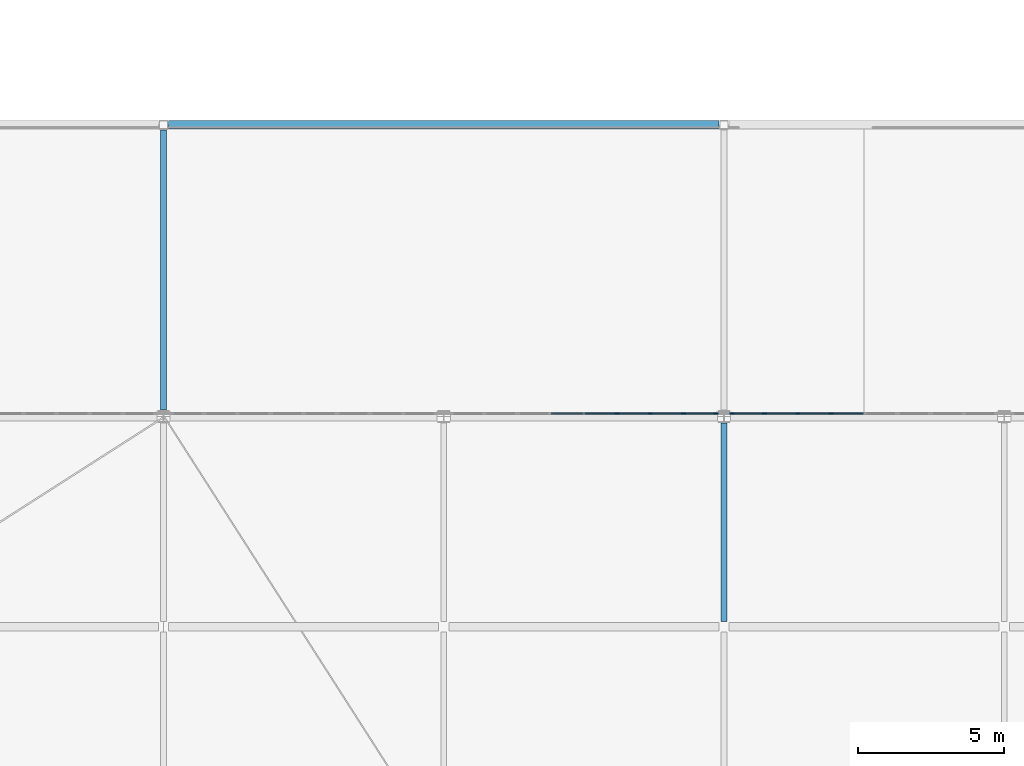
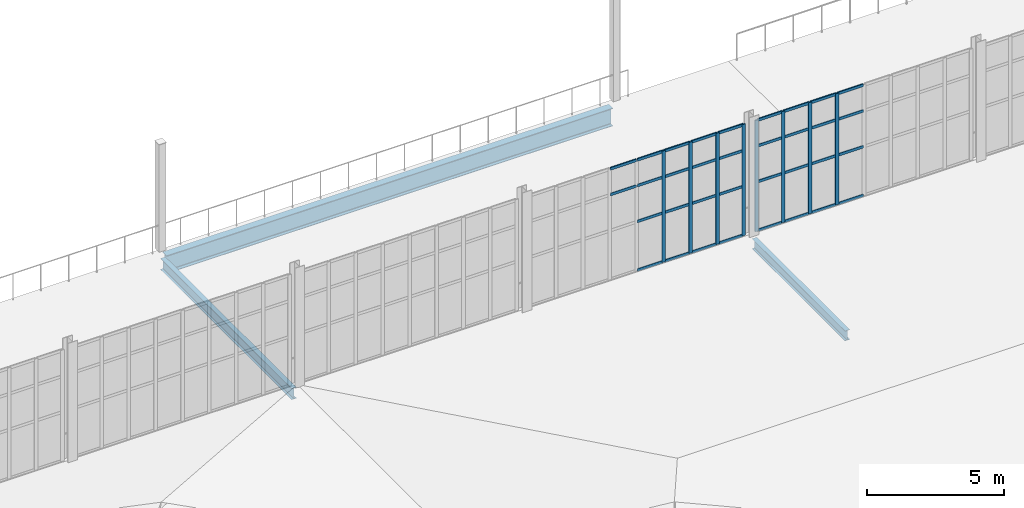
# One storey, part 33 of 112: 42 members, 3 beams, 2 elements without a shape of their own.
"""IFC4 building model written with IfcOpenShell, lengths in metres."""

from ifc_helpers import new_model, si_unit, direction, frame, origin, origin_2d, place, context, subcontext, project, spatial, rectangle, i_section, extrude, material, layer, layer_set, material_profile, profile_set, type_object, element, aggregate, save


model = new_model("IFC4")

# Units and contexts
model_context = context("Model", 3, precision=1e-05, world=origin(), true_north=direction((0.0, 1.0)))
body_context = subcontext(model_context, "Body", "Model", "MODEL_VIEW")
ifc_project = project(units=[si_unit("LENGTHUNIT", "METRE"), si_unit("AREAUNIT", "SQUARE_METRE"), si_unit("VOLUMEUNIT", "CUBIC_METRE"), si_unit("PLANEANGLEUNIT", "RADIAN"), si_unit("MASSUNIT", "GRAM", prefix="KILO")], contexts=[model_context])

# Site, building, storey
site_placement = place(None, origin())
site = spatial("IfcSite", under=ifc_project, at=site_placement, CompositionType="ELEMENT")
building_placement = place(site_placement, origin())
building = spatial("IfcBuilding", under=site, at=building_placement, Name="Yeouljin Market Hall", CompositionType="ELEMENT")
storey_placement = place(building_placement, frame((0.0, 0.0, 6.0)))
storey = spatial("IfcBuildingStorey", under=building, at=storey_placement, Name="L01", CompositionType="ELEMENT", Elevation=6.0)

# Beams
ifc_material_1 = material(Name="Steel SM355", Category="steel")
ifc_material_profile_1 = material_profile(ifc_material_1, i_section(OverallWidth=0.199951171875, OverallDepth=0.449951171875, WebThickness=0.009033203125, FlangeThickness=0.013916015625, FilletRadius=0.01806640625, at=origin_2d()), Name="H-450x200x9x14")
ifc_profile_set_1 = profile_set([ifc_material_profile_1], Name="Steel SM355")
beam_type_1 = type_object("IfcBeamType", Name="Beam_H-450x200x9x14", PredefinedType="BEAM", material=ifc_profile_set_1)
beam_1_placement = place(storey_placement, frame((83.39990234375, 28.97509765625, -0.2451171875), z_axis=(0.0, 1.0, 0.0), x_axis=(-1.0, 0.0, 0.0)))
element("IfcBeam", 1, at=beam_1_placement, inside=storey, type_object=beam_type_1, Name="Boulevard forecourt canopy beam BM-V5FC-Y17", PredefinedType="BEAM", context=body_context, shape_type="SweptSolid", body=[
    extrude(i_section(OverallWidth=0.199951171875, OverallDepth=0.449951171875, WebThickness=0.009033203125, FlangeThickness=0.013916015625, FilletRadius=0.01806640625, at=origin_2d()), origin(), (0.0, 0.0, 1.0), 6.7998046875),
])
ifc_material_2 = material(Name="Steel SM355", Category="steel")
ifc_material_profile_2 = material_profile(ifc_material_2, i_section(OverallWidth=0.199951171875, OverallDepth=0.5, WebThickness=0.010009765625, FlangeThickness=0.01611328125, FilletRadius=0.02001953125, at=origin_2d()), Name="H-500x200x10x16")
ifc_profile_set_2 = profile_set([ifc_material_profile_2], Name="Steel SM355")
beam_type_2 = type_object("IfcBeamType", Name="Beam_H-500x200x10x16", PredefinedType="BEAM", material=ifc_profile_set_2)
beam_2_placement = place(storey_placement, frame((64.199951171875, 36.22509765625, -0.52001953125), z_axis=(0.0, 1.0, 0.0), x_axis=(-1.0, 0.0, 0.0)))
element("IfcBeam", 2, at=beam_2_placement, inside=storey, type_object=beam_type_2, Name="Primary beam BM-L01-Y168", PredefinedType="BEAM", context=body_context, shape_type="SweptSolid", body=[
    extrude(i_section(OverallWidth=0.199951171875, OverallDepth=0.5, WebThickness=0.010009765625, FlangeThickness=0.01611328125, FilletRadius=0.02001953125, at=origin_2d()), origin(), (0.0, 0.0, 1.0), 9.599853515625),
])

# Curtain wall, members
ifc_material_3 = material(Name="Thermally Broken Aluminium", Category="aluminium")
ifc_layer = layer(ifc_material_3, 0.159912109375)
ifc_layer_set = layer_set([ifc_layer], Name="Thermally Broken Aluminium")
curtain_wall_type = type_object("IfcCurtainWallType", Name="CW_HallClerestory_System", PredefinedType="USERDEFINED", material=ifc_layer_set)
curtain_wall_1_placement = place(storey_placement, origin())
curtain_wall_1 = element("IfcCurtainWall", 3, at=curtain_wall_1_placement, inside=storey, type_object=curtain_wall_type, Name="Curtain wall CW-V1S-L01-05", ObjectType="CURTAIN WALL", PredefinedType="USERDEFINED")
ifc_material_4 = material(Name="Thermally Broken Aluminium", Category="aluminium")
ifc_material_profile_3 = material_profile(ifc_material_4, rectangle(XDim=0.048095703125, YDim=0.14990234375, at=origin_2d()), Name="CW-MULL-48x150")
ifc_profile_set_3 = profile_set([ifc_material_profile_3], Name="Thermally Broken Aluminium")
member_type_1 = type_object("IfcMemberType", Name="CWMullion_48x150", PredefinedType="MULLION", material=ifc_profile_set_3)
member_1_placement = place(storey_placement, frame((83.1259765625, 36.10009765625, 0.0), z_axis=(0.0, 0.0, 1.0), x_axis=(0.0, -1.0, 0.0)))
member_1 = element("IfcMember", 4, at=member_1_placement, type_object=member_type_1, Name="CW-02 mullion 1", PredefinedType="MULLION", context=body_context, shape_type="SweptSolid", body=[
    extrude(rectangle(XDim=0.048095703125, YDim=0.14990234375, at=origin_2d()), origin(), (0.0, 0.0, 1.0), 4.969970703125),
])
member_2_placement = place(storey_placement, frame((82.012451171875, 36.10009765625, 0.0), z_axis=(0.0, 0.0, 1.0), x_axis=(0.0, -1.0, 0.0)))
member_2 = element("IfcMember", 5, at=member_2_placement, type_object=member_type_1, Name="CW-02 mullion 2", PredefinedType="MULLION", context=body_context, shape_type="SweptSolid", body=[
    extrude(rectangle(XDim=0.048095703125, YDim=0.14990234375, at=origin_2d()), origin(), (0.0, 0.0, 1.0), 4.969970703125),
])
member_3_placement = place(storey_placement, frame((80.875, 36.10009765625, 0.0), z_axis=(0.0, 0.0, 1.0), x_axis=(0.0, -1.0, 0.0)))
member_3 = element("IfcMember", 6, at=member_3_placement, type_object=member_type_1, Name="CW-02 mullion 3", PredefinedType="MULLION", context=body_context, shape_type="SweptSolid", body=[
    extrude(rectangle(XDim=0.048095703125, YDim=0.14990234375, at=origin_2d()), origin(), (0.0, 0.0, 1.0), 4.969970703125),
])
member_4_placement = place(storey_placement, frame((79.737548828125, 36.10009765625, 0.0), z_axis=(0.0, 0.0, 1.0), x_axis=(0.0, -1.0, 0.0)))
member_4 = element("IfcMember", 7, at=member_4_placement, type_object=member_type_1, Name="CW-02 mullion 4", PredefinedType="MULLION", context=body_context, shape_type="SweptSolid", body=[
    extrude(rectangle(XDim=0.048095703125, YDim=0.14990234375, at=origin_2d()), origin(), (0.0, 0.0, 1.0), 4.969970703125),
])

curtain_wall_2_placement = place(storey_placement, origin())
curtain_wall_2 = element("IfcCurtainWall", 8, at=curtain_wall_2_placement, inside=storey, type_object=curtain_wall_type, Name="Curtain wall CW-V1S-L01-06", ObjectType="CURTAIN WALL", PredefinedType="USERDEFINED")
member_5_placement = place(storey_placement, frame((87.0625, 36.10009765625, 0.0), z_axis=(0.0, 0.0, 1.0), x_axis=(0.0, -1.0, 0.0)))
member_5 = element("IfcMember", 9, at=member_5_placement, type_object=member_type_1, Name="CW-02 mullion 6", PredefinedType="MULLION", context=body_context, shape_type="SweptSolid", body=[
    extrude(rectangle(XDim=0.048095703125, YDim=0.14990234375, at=origin_2d()), origin(), (0.0, 0.0, 1.0), 4.969970703125),
])
member_6_placement = place(storey_placement, frame((85.925048828125, 36.10009765625, 0.0), z_axis=(0.0, 0.0, 1.0), x_axis=(0.0, -1.0, 0.0)))
member_6 = element("IfcMember", 10, at=member_6_placement, type_object=member_type_1, Name="CW-02 mullion 7", PredefinedType="MULLION", context=body_context, shape_type="SweptSolid", body=[
    extrude(rectangle(XDim=0.048095703125, YDim=0.14990234375, at=origin_2d()), origin(), (0.0, 0.0, 1.0), 4.969970703125),
])
member_7_placement = place(storey_placement, frame((84.78759765625, 36.10009765625, 0.0), z_axis=(0.0, 0.0, 1.0), x_axis=(0.0, -1.0, 0.0)))
member_7 = element("IfcMember", 11, at=member_7_placement, type_object=member_type_1, Name="CW-02 mullion 8", PredefinedType="MULLION", context=body_context, shape_type="SweptSolid", body=[
    extrude(rectangle(XDim=0.048095703125, YDim=0.14990234375, at=origin_2d()), origin(), (0.0, 0.0, 1.0), 4.969970703125),
])
member_8_placement = place(storey_placement, frame((83.674072265625, 36.10009765625, 0.0), z_axis=(0.0, 0.0, 1.0), x_axis=(0.0, -1.0, 0.0)))
member_8 = element("IfcMember", 12, at=member_8_placement, type_object=member_type_1, Name="CW-02 mullion 9", PredefinedType="MULLION", context=body_context, shape_type="SweptSolid", body=[
    extrude(rectangle(XDim=0.048095703125, YDim=0.14990234375, at=origin_2d()), origin(), (0.0, 0.0, 1.0), 4.969970703125),
])

# Member
ifc_material_5 = material(Name="Thermally Broken Aluminium", Category="aluminium")
ifc_material_profile_4 = material_profile(ifc_material_5, rectangle(XDim=0.048095703125, YDim=0.1201171875, at=origin_2d()), Name="CW-TRAN-48x120")
ifc_profile_set_4 = profile_set([ifc_material_profile_4], Name="Thermally Broken Aluminium")
member_type_2 = type_object("IfcMemberType", Name="CWTransom_48x120", PredefinedType="USERDEFINED", material=ifc_profile_set_4)
member_9_placement = place(storey_placement, frame((83.10205078125, 36.10009765625, 0.02392578125), z_axis=(-1.0, 0.0, 0.0), x_axis=(0.0, -1.0, 0.0)))
member_9 = element("IfcMember", 13, at=member_9_placement, type_object=member_type_2, Name="CW-02 transom 1.1", ObjectType="TRANSOM", PredefinedType="USERDEFINED", context=body_context, shape_type="SweptSolid", body=[
    extrude(rectangle(XDim=0.048095703125, YDim=0.1201171875, at=origin_2d()), origin(), (0.0, 0.0, 1.0), 1.0654296875),
])

member_10_placement = place(storey_placement, frame((83.10205078125, 36.10009765625, 2.199951171875), z_axis=(-1.0, 0.0, 0.0), x_axis=(0.0, -1.0, 0.0)))
member_10 = element("IfcMember", 14, at=member_10_placement, type_object=member_type_2, Name="CW-02 transom 1.2", ObjectType="TRANSOM", PredefinedType="USERDEFINED", context=body_context, shape_type="SweptSolid", body=[
    extrude(rectangle(XDim=0.048095703125, YDim=0.1201171875, at=origin_2d()), origin(), (0.0, 0.0, 1.0), 1.0654296875),
])

member_11_placement = place(storey_placement, frame((83.10205078125, 36.10009765625, 3.800048828125), z_axis=(-1.0, 0.0, 0.0), x_axis=(0.0, -1.0, 0.0)))
member_11 = element("IfcMember", 15, at=member_11_placement, type_object=member_type_2, Name="CW-02 transom 1.3", ObjectType="TRANSOM", PredefinedType="USERDEFINED", context=body_context, shape_type="SweptSolid", body=[
    extrude(rectangle(XDim=0.048095703125, YDim=0.1201171875, at=origin_2d()), origin(), (0.0, 0.0, 1.0), 1.0654296875),
])

member_12_placement = place(storey_placement, frame((83.10205078125, 36.10009765625, 4.946044921875), z_axis=(-1.0, 0.0, 0.0), x_axis=(0.0, -1.0, 0.0)))
member_12 = element("IfcMember", 16, at=member_12_placement, type_object=member_type_2, Name="CW-02 transom 1.4", ObjectType="TRANSOM", PredefinedType="USERDEFINED", context=body_context, shape_type="SweptSolid", body=[
    extrude(rectangle(XDim=0.048095703125, YDim=0.1201171875, at=origin_2d()), origin(), (0.0, 0.0, 1.0), 1.0654296875),
])

member_13_placement = place(storey_placement, frame((81.988525390625, 36.10009765625, 0.02392578125), z_axis=(-1.0, 0.0, 0.0), x_axis=(0.0, -1.0, 0.0)))
member_13 = element("IfcMember", 17, at=member_13_placement, type_object=member_type_2, Name="CW-02 transom 2.1", ObjectType="TRANSOM", PredefinedType="USERDEFINED", context=body_context, shape_type="SweptSolid", body=[
    extrude(rectangle(XDim=0.048095703125, YDim=0.1201171875, at=origin_2d()), origin(), (0.0, 0.0, 1.0), 1.089599609375),
])

member_14_placement = place(storey_placement, frame((81.988525390625, 36.10009765625, 2.199951171875), z_axis=(-1.0, 0.0, 0.0), x_axis=(0.0, -1.0, 0.0)))
member_14 = element("IfcMember", 18, at=member_14_placement, type_object=member_type_2, Name="CW-02 transom 2.2", ObjectType="TRANSOM", PredefinedType="USERDEFINED", context=body_context, shape_type="SweptSolid", body=[
    extrude(rectangle(XDim=0.048095703125, YDim=0.1201171875, at=origin_2d()), origin(), (0.0, 0.0, 1.0), 1.089599609375),
])

member_15_placement = place(storey_placement, frame((81.988525390625, 36.10009765625, 3.800048828125), z_axis=(-1.0, 0.0, 0.0), x_axis=(0.0, -1.0, 0.0)))
member_15 = element("IfcMember", 19, at=member_15_placement, type_object=member_type_2, Name="CW-02 transom 2.3", ObjectType="TRANSOM", PredefinedType="USERDEFINED", context=body_context, shape_type="SweptSolid", body=[
    extrude(rectangle(XDim=0.048095703125, YDim=0.1201171875, at=origin_2d()), origin(), (0.0, 0.0, 1.0), 1.089599609375),
])

member_16_placement = place(storey_placement, frame((81.988525390625, 36.10009765625, 4.946044921875), z_axis=(-1.0, 0.0, 0.0), x_axis=(0.0, -1.0, 0.0)))
member_16 = element("IfcMember", 20, at=member_16_placement, type_object=member_type_2, Name="CW-02 transom 2.4", ObjectType="TRANSOM", PredefinedType="USERDEFINED", context=body_context, shape_type="SweptSolid", body=[
    extrude(rectangle(XDim=0.048095703125, YDim=0.1201171875, at=origin_2d()), origin(), (0.0, 0.0, 1.0), 1.089599609375),
])

member_17_placement = place(storey_placement, frame((80.85107421875, 36.10009765625, 0.02392578125), z_axis=(-1.0, 0.0, 0.0), x_axis=(0.0, -1.0, 0.0)))
member_17 = element("IfcMember", 21, at=member_17_placement, type_object=member_type_2, Name="CW-02 transom 3.1", ObjectType="TRANSOM", PredefinedType="USERDEFINED", context=body_context, shape_type="SweptSolid", body=[
    extrude(rectangle(XDim=0.048095703125, YDim=0.1201171875, at=origin_2d()), origin(), (0.0, 0.0, 1.0), 1.089599609375),
])

member_18_placement = place(storey_placement, frame((80.85107421875, 36.10009765625, 2.199951171875), z_axis=(-1.0, 0.0, 0.0), x_axis=(0.0, -1.0, 0.0)))
member_18 = element("IfcMember", 22, at=member_18_placement, type_object=member_type_2, Name="CW-02 transom 3.2", ObjectType="TRANSOM", PredefinedType="USERDEFINED", context=body_context, shape_type="SweptSolid", body=[
    extrude(rectangle(XDim=0.048095703125, YDim=0.1201171875, at=origin_2d()), origin(), (0.0, 0.0, 1.0), 1.089599609375),
])

member_19_placement = place(storey_placement, frame((80.85107421875, 36.10009765625, 3.800048828125), z_axis=(-1.0, 0.0, 0.0), x_axis=(0.0, -1.0, 0.0)))
member_19 = element("IfcMember", 23, at=member_19_placement, type_object=member_type_2, Name="CW-02 transom 3.3", ObjectType="TRANSOM", PredefinedType="USERDEFINED", context=body_context, shape_type="SweptSolid", body=[
    extrude(rectangle(XDim=0.048095703125, YDim=0.1201171875, at=origin_2d()), origin(), (0.0, 0.0, 1.0), 1.089599609375),
])

member_20_placement = place(storey_placement, frame((80.85107421875, 36.10009765625, 4.946044921875), z_axis=(-1.0, 0.0, 0.0), x_axis=(0.0, -1.0, 0.0)))
member_20 = element("IfcMember", 24, at=member_20_placement, type_object=member_type_2, Name="CW-02 transom 3.4", ObjectType="TRANSOM", PredefinedType="USERDEFINED", context=body_context, shape_type="SweptSolid", body=[
    extrude(rectangle(XDim=0.048095703125, YDim=0.1201171875, at=origin_2d()), origin(), (0.0, 0.0, 1.0), 1.089599609375),
])

member_21_placement = place(storey_placement, frame((79.71337890625, 36.10009765625, 0.02392578125), z_axis=(-1.0, 0.0, 0.0), x_axis=(0.0, -1.0, 0.0)))
member_21 = element("IfcMember", 25, at=member_21_placement, type_object=member_type_2, Name="CW-02 transom 4.1", ObjectType="TRANSOM", PredefinedType="USERDEFINED", context=body_context, shape_type="SweptSolid", body=[
    extrude(rectangle(XDim=0.048095703125, YDim=0.1201171875, at=origin_2d()), origin(), (0.0, 0.0, 1.0), 1.08935546875),
])

member_22_placement = place(storey_placement, frame((79.71337890625, 36.10009765625, 2.199951171875), z_axis=(-1.0, 0.0, 0.0), x_axis=(0.0, -1.0, 0.0)))
member_22 = element("IfcMember", 26, at=member_22_placement, type_object=member_type_2, Name="CW-02 transom 4.2", ObjectType="TRANSOM", PredefinedType="USERDEFINED", context=body_context, shape_type="SweptSolid", body=[
    extrude(rectangle(XDim=0.048095703125, YDim=0.1201171875, at=origin_2d()), origin(), (0.0, 0.0, 1.0), 1.08935546875),
])

member_23_placement = place(storey_placement, frame((79.71337890625, 36.10009765625, 3.800048828125), z_axis=(-1.0, 0.0, 0.0), x_axis=(0.0, -1.0, 0.0)))
member_23 = element("IfcMember", 27, at=member_23_placement, type_object=member_type_2, Name="CW-02 transom 4.3", ObjectType="TRANSOM", PredefinedType="USERDEFINED", context=body_context, shape_type="SweptSolid", body=[
    extrude(rectangle(XDim=0.048095703125, YDim=0.1201171875, at=origin_2d()), origin(), (0.0, 0.0, 1.0), 1.08935546875),
])

member_24_placement = place(storey_placement, frame((79.71337890625, 36.10009765625, 4.946044921875), z_axis=(-1.0, 0.0, 0.0), x_axis=(0.0, -1.0, 0.0)))
member_24 = element("IfcMember", 28, at=member_24_placement, type_object=member_type_2, Name="CW-02 transom 4.4", ObjectType="TRANSOM", PredefinedType="USERDEFINED", context=body_context, shape_type="SweptSolid", body=[
    extrude(rectangle(XDim=0.048095703125, YDim=0.1201171875, at=origin_2d()), origin(), (0.0, 0.0, 1.0), 1.08935546875),
])

member_25_placement = place(storey_placement, frame((78.575927734375, 36.10009765625, 3.800048828125), z_axis=(-1.0, 0.0, 0.0), x_axis=(0.0, -1.0, 0.0)))
member_25 = element("IfcMember", 29, at=member_25_placement, type_object=member_type_2, Name="CW-02 transom 5.3", ObjectType="TRANSOM", PredefinedType="USERDEFINED", context=body_context, shape_type="SweptSolid", body=[
    extrude(rectangle(XDim=0.048095703125, YDim=0.1201171875, at=origin_2d()), origin(), (0.0, 0.0, 1.0), 1.08935546875),
])

member_26_placement = place(storey_placement, frame((78.575927734375, 36.10009765625, 4.946044921875), z_axis=(-1.0, 0.0, 0.0), x_axis=(0.0, -1.0, 0.0)))
member_26 = element("IfcMember", 30, at=member_26_placement, type_object=member_type_2, Name="CW-02 transom 5.4", ObjectType="TRANSOM", PredefinedType="USERDEFINED", context=body_context, shape_type="SweptSolid", body=[
    extrude(rectangle(XDim=0.048095703125, YDim=0.1201171875, at=origin_2d()), origin(), (0.0, 0.0, 1.0), 1.08935546875),
])

aggregate(curtain_wall_1, [member_1, member_2, member_3, member_4, member_9, member_10, member_11, member_12, member_13, member_14, member_15, member_16, member_17, member_18, member_19, member_20, member_21, member_22, member_23, member_24, member_25, member_26])

member_27_placement = place(storey_placement, frame((88.176025390625, 36.10009765625, 0.02392578125), z_axis=(-1.0, 0.0, 0.0), x_axis=(0.0, -1.0, 0.0)))
member_27 = element("IfcMember", 31, at=member_27_placement, type_object=member_type_2, Name="CW-02 transom 5.1", ObjectType="TRANSOM", PredefinedType="USERDEFINED", context=body_context, shape_type="SweptSolid", body=[
    extrude(rectangle(XDim=0.048095703125, YDim=0.1201171875, at=origin_2d()), origin(), (0.0, 0.0, 1.0), 1.089599609375),
])

member_28_placement = place(storey_placement, frame((88.176025390625, 36.10009765625, 2.199951171875), z_axis=(-1.0, 0.0, 0.0), x_axis=(0.0, -1.0, 0.0)))
member_28 = element("IfcMember", 32, at=member_28_placement, type_object=member_type_2, Name="CW-02 transom 5.2", ObjectType="TRANSOM", PredefinedType="USERDEFINED", context=body_context, shape_type="SweptSolid", body=[
    extrude(rectangle(XDim=0.048095703125, YDim=0.1201171875, at=origin_2d()), origin(), (0.0, 0.0, 1.0), 1.089599609375),
])

member_29_placement = place(storey_placement, frame((88.176025390625, 36.10009765625, 3.800048828125), z_axis=(-1.0, 0.0, 0.0), x_axis=(0.0, -1.0, 0.0)))
member_29 = element("IfcMember", 33, at=member_29_placement, type_object=member_type_2, Name="CW-02 transom 5.3", ObjectType="TRANSOM", PredefinedType="USERDEFINED", context=body_context, shape_type="SweptSolid", body=[
    extrude(rectangle(XDim=0.048095703125, YDim=0.1201171875, at=origin_2d()), origin(), (0.0, 0.0, 1.0), 1.089599609375),
])

member_30_placement = place(storey_placement, frame((88.176025390625, 36.10009765625, 4.946044921875), z_axis=(-1.0, 0.0, 0.0), x_axis=(0.0, -1.0, 0.0)))
member_30 = element("IfcMember", 34, at=member_30_placement, type_object=member_type_2, Name="CW-02 transom 5.4", ObjectType="TRANSOM", PredefinedType="USERDEFINED", context=body_context, shape_type="SweptSolid", body=[
    extrude(rectangle(XDim=0.048095703125, YDim=0.1201171875, at=origin_2d()), origin(), (0.0, 0.0, 1.0), 1.089599609375),
])

member_31_placement = place(storey_placement, frame((87.03857421875, 36.10009765625, 0.02392578125), z_axis=(-1.0, 0.0, 0.0), x_axis=(0.0, -1.0, 0.0)))
member_31 = element("IfcMember", 35, at=member_31_placement, type_object=member_type_2, Name="CW-02 transom 6.1", ObjectType="TRANSOM", PredefinedType="USERDEFINED", context=body_context, shape_type="SweptSolid", body=[
    extrude(rectangle(XDim=0.048095703125, YDim=0.1201171875, at=origin_2d()), origin(), (0.0, 0.0, 1.0), 1.089599609375),
])

member_32_placement = place(storey_placement, frame((87.03857421875, 36.10009765625, 2.199951171875), z_axis=(-1.0, 0.0, 0.0), x_axis=(0.0, -1.0, 0.0)))
member_32 = element("IfcMember", 36, at=member_32_placement, type_object=member_type_2, Name="CW-02 transom 6.2", ObjectType="TRANSOM", PredefinedType="USERDEFINED", context=body_context, shape_type="SweptSolid", body=[
    extrude(rectangle(XDim=0.048095703125, YDim=0.1201171875, at=origin_2d()), origin(), (0.0, 0.0, 1.0), 1.089599609375),
])

member_33_placement = place(storey_placement, frame((87.03857421875, 36.10009765625, 3.800048828125), z_axis=(-1.0, 0.0, 0.0), x_axis=(0.0, -1.0, 0.0)))
member_33 = element("IfcMember", 37, at=member_33_placement, type_object=member_type_2, Name="CW-02 transom 6.3", ObjectType="TRANSOM", PredefinedType="USERDEFINED", context=body_context, shape_type="SweptSolid", body=[
    extrude(rectangle(XDim=0.048095703125, YDim=0.1201171875, at=origin_2d()), origin(), (0.0, 0.0, 1.0), 1.089599609375),
])

member_34_placement = place(storey_placement, frame((87.03857421875, 36.10009765625, 4.946044921875), z_axis=(-1.0, 0.0, 0.0), x_axis=(0.0, -1.0, 0.0)))
member_34 = element("IfcMember", 38, at=member_34_placement, type_object=member_type_2, Name="CW-02 transom 6.4", ObjectType="TRANSOM", PredefinedType="USERDEFINED", context=body_context, shape_type="SweptSolid", body=[
    extrude(rectangle(XDim=0.048095703125, YDim=0.1201171875, at=origin_2d()), origin(), (0.0, 0.0, 1.0), 1.089599609375),
])

member_35_placement = place(storey_placement, frame((85.90087890625, 36.10009765625, 0.02392578125), z_axis=(-1.0, 0.0, 0.0), x_axis=(0.0, -1.0, 0.0)))
member_35 = element("IfcMember", 39, at=member_35_placement, type_object=member_type_2, Name="CW-02 transom 7.1", ObjectType="TRANSOM", PredefinedType="USERDEFINED", context=body_context, shape_type="SweptSolid", body=[
    extrude(rectangle(XDim=0.048095703125, YDim=0.1201171875, at=origin_2d()), origin(), (0.0, 0.0, 1.0), 1.08935546875),
])

member_36_placement = place(storey_placement, frame((85.90087890625, 36.10009765625, 2.199951171875), z_axis=(-1.0, 0.0, 0.0), x_axis=(0.0, -1.0, 0.0)))
member_36 = element("IfcMember", 40, at=member_36_placement, type_object=member_type_2, Name="CW-02 transom 7.2", ObjectType="TRANSOM", PredefinedType="USERDEFINED", context=body_context, shape_type="SweptSolid", body=[
    extrude(rectangle(XDim=0.048095703125, YDim=0.1201171875, at=origin_2d()), origin(), (0.0, 0.0, 1.0), 1.08935546875),
])

member_37_placement = place(storey_placement, frame((85.90087890625, 36.10009765625, 3.800048828125), z_axis=(-1.0, 0.0, 0.0), x_axis=(0.0, -1.0, 0.0)))
member_37 = element("IfcMember", 41, at=member_37_placement, type_object=member_type_2, Name="CW-02 transom 7.3", ObjectType="TRANSOM", PredefinedType="USERDEFINED", context=body_context, shape_type="SweptSolid", body=[
    extrude(rectangle(XDim=0.048095703125, YDim=0.1201171875, at=origin_2d()), origin(), (0.0, 0.0, 1.0), 1.08935546875),
])

member_38_placement = place(storey_placement, frame((85.90087890625, 36.10009765625, 4.946044921875), z_axis=(-1.0, 0.0, 0.0), x_axis=(0.0, -1.0, 0.0)))
member_38 = element("IfcMember", 42, at=member_38_placement, type_object=member_type_2, Name="CW-02 transom 7.4", ObjectType="TRANSOM", PredefinedType="USERDEFINED", context=body_context, shape_type="SweptSolid", body=[
    extrude(rectangle(XDim=0.048095703125, YDim=0.1201171875, at=origin_2d()), origin(), (0.0, 0.0, 1.0), 1.08935546875),
])

member_39_placement = place(storey_placement, frame((84.763427734375, 36.10009765625, 0.02392578125), z_axis=(-1.0, 0.0, 0.0), x_axis=(0.0, -1.0, 0.0)))
member_39 = element("IfcMember", 43, at=member_39_placement, type_object=member_type_2, Name="CW-02 transom 8.1", ObjectType="TRANSOM", PredefinedType="USERDEFINED", context=body_context, shape_type="SweptSolid", body=[
    extrude(rectangle(XDim=0.048095703125, YDim=0.1201171875, at=origin_2d()), origin(), (0.0, 0.0, 1.0), 1.0654296875),
])

member_40_placement = place(storey_placement, frame((84.763427734375, 36.10009765625, 2.199951171875), z_axis=(-1.0, 0.0, 0.0), x_axis=(0.0, -1.0, 0.0)))
member_40 = element("IfcMember", 44, at=member_40_placement, type_object=member_type_2, Name="CW-02 transom 8.2", ObjectType="TRANSOM", PredefinedType="USERDEFINED", context=body_context, shape_type="SweptSolid", body=[
    extrude(rectangle(XDim=0.048095703125, YDim=0.1201171875, at=origin_2d()), origin(), (0.0, 0.0, 1.0), 1.0654296875),
])

member_41_placement = place(storey_placement, frame((84.763427734375, 36.10009765625, 3.800048828125), z_axis=(-1.0, 0.0, 0.0), x_axis=(0.0, -1.0, 0.0)))
member_41 = element("IfcMember", 45, at=member_41_placement, type_object=member_type_2, Name="CW-02 transom 8.3", ObjectType="TRANSOM", PredefinedType="USERDEFINED", context=body_context, shape_type="SweptSolid", body=[
    extrude(rectangle(XDim=0.048095703125, YDim=0.1201171875, at=origin_2d()), origin(), (0.0, 0.0, 1.0), 1.0654296875),
])

member_42_placement = place(storey_placement, frame((84.763427734375, 36.10009765625, 4.946044921875), z_axis=(-1.0, 0.0, 0.0), x_axis=(0.0, -1.0, 0.0)))
member_42 = element("IfcMember", 46, at=member_42_placement, type_object=member_type_2, Name="CW-02 transom 8.4", ObjectType="TRANSOM", PredefinedType="USERDEFINED", context=body_context, shape_type="SweptSolid", body=[
    extrude(rectangle(XDim=0.048095703125, YDim=0.1201171875, at=origin_2d()), origin(), (0.0, 0.0, 1.0), 1.0654296875),
])

aggregate(curtain_wall_2, [member_5, member_6, member_7, member_8, member_27, member_28, member_29, member_30, member_31, member_32, member_33, member_34, member_35, member_36, member_37, member_38, member_39, member_40, member_41, member_42])

# Beam
ifc_material_6 = material(Name="Steel SM355", Category="steel")
ifc_material_profile_5 = material_profile(ifc_material_6, i_section(OverallWidth=0.300048828125, OverallDepth=0.800048828125, WebThickness=0.013916015625, FlangeThickness=0.02587890625, FilletRadius=0.028076171875, at=origin_2d()), Name="H-800x300x14x26")
ifc_profile_set_5 = profile_set([ifc_material_profile_5], Name="Steel SM355")
beam_type_3 = type_object("IfcBeamType", Name="Girder_H-800x300x14x26", PredefinedType="USERDEFINED", material=ifc_profile_set_5)
beam_3_placement = place(storey_placement, frame((64.375, 46.0, -0.669921875), z_axis=(1.0, 0.0, 0.0), x_axis=(0.0, 1.0, 0.0)))
element("IfcBeam", 47, at=beam_3_placement, inside=storey, type_object=beam_type_3, Name="Primary girder GRD-L01-X064", ObjectType="GIRDER", PredefinedType="USERDEFINED", context=body_context, shape_type="SweptSolid", body=[
    extrude(i_section(OverallWidth=0.300048828125, OverallDepth=0.800048828125, WebThickness=0.013916015625, FlangeThickness=0.02587890625, FilletRadius=0.028076171875, at=origin_2d()), origin(), (0.0, 0.0, 1.0), 18.85009765625),
])

save(model, "model.ifc")
